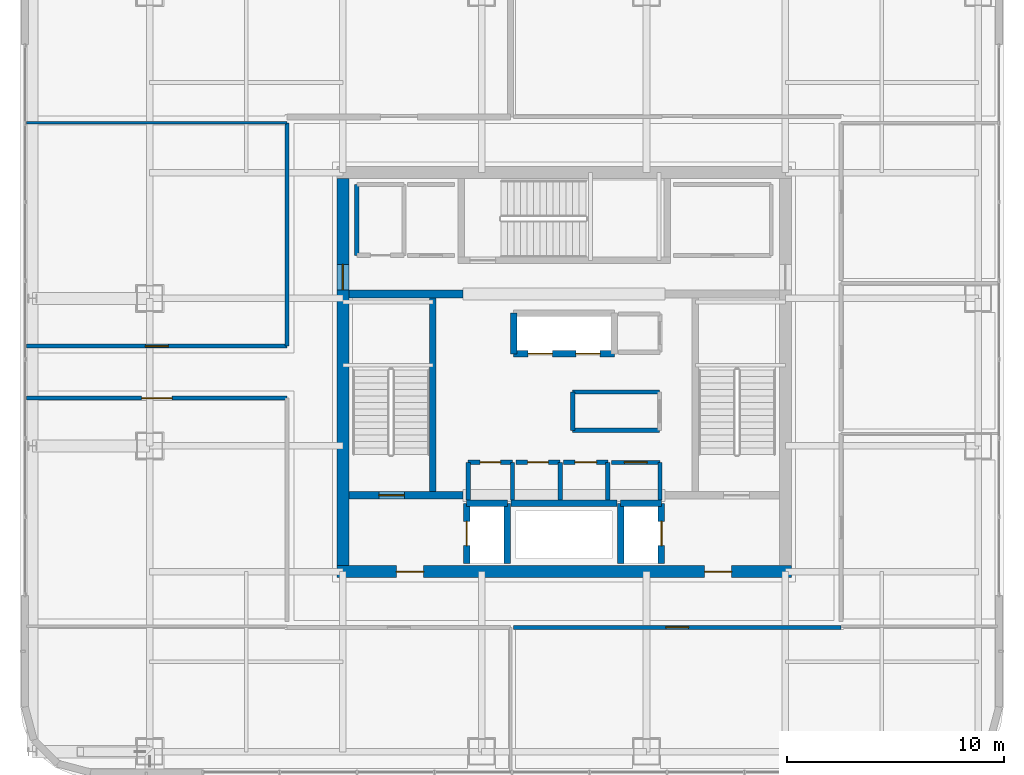
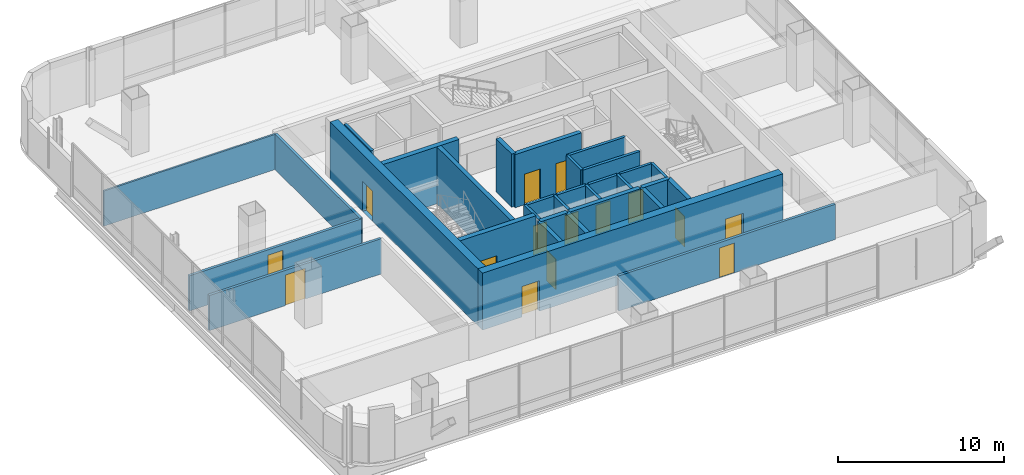
# One storey, part 34 of 51: 32 walls, 15 doors, 15 openings.
"""IFC4 building model written with IfcOpenShell, lengths in metres."""

from ifc_helpers import new_model, si_unit, direction, frame, frame_2d, origin, place, context, subcontext, project, spatial, rectangle, extrude, material, layer, layer_set, type_object, element, fill, save


model = new_model("IFC4")

# Units and contexts
model_context = context("Model", 3, precision=1e-05, world=origin(), true_north=direction((0.0, 1.0)))
body_context = subcontext(model_context, "Body", "Model", "MODEL_VIEW")
ifc_project = project(units=[si_unit("LENGTHUNIT", "METRE"), si_unit("AREAUNIT", "SQUARE_METRE"), si_unit("VOLUMEUNIT", "CUBIC_METRE"), si_unit("PLANEANGLEUNIT", "RADIAN"), si_unit("MASSUNIT", "GRAM", prefix="KILO")], contexts=[model_context])

# Site, building, storey
site_placement = place(None, origin())
site = spatial("IfcSite", under=ifc_project, at=site_placement, CompositionType="ELEMENT")
building_placement = place(site_placement, origin())
building = spatial("IfcBuilding", under=site, at=building_placement, Name="Punatoya Terracotta Tower", CompositionType="ELEMENT")
storey_placement = place(building_placement, frame((0.0, 0.0, 313.199951171875)))
storey = spatial("IfcBuildingStorey", under=building, at=storey_placement, Name="L74", CompositionType="ELEMENT", Elevation=313.199951171875)

# Wall, openings, doors
ifc_material_1 = material(Name="Concrete C50/60", Category="concrete")
ifc_layer_1 = layer(ifc_material_1, 0.550048828125)
ifc_layer_set_1 = layer_set([ifc_layer_1], Name="Concrete C50/60")
wall_type_1 = type_object("IfcWallType", Name="WL-COR-550", PredefinedType="SHEAR", material=ifc_layer_set_1)
wall_1_placement = place(storey_placement, frame((10.47509765625, -9.199951171875, 0.0), z_axis=(0.0, 0.0, 1.0), x_axis=(-1.0, 0.0, 0.0)))
wall_1 = element("IfcWall", 1, at=wall_1_placement, inside=storey, type_object=wall_type_1, Name="L74 Core Shear Wall S", PredefinedType="SHEAR", context=body_context, shape_type="SweptSolid", body=[
    extrude(rectangle(XDim=20.9501953125, YDim=0.550048828125, at=frame_2d((10.47509765625, 0.0))), origin(), (0.0, 0.0, 1.0), 4.199951171875),
])
opening_1_placement = place(wall_1_placement, frame((2.75, 0.0, 0.0)))
opening_1 = element("IfcOpeningElement", 2, at=opening_1_placement, cuts=wall_1, Name="Opening FD-L1", PredefinedType="OPENING", context=body_context, shape_type="SweptSolid", body=[
    extrude(rectangle(XDim=1.25, YDim=2.25, at=frame_2d((0.625, 1.125))), frame((0.0, 0.284912109375, 0.0), z_axis=(0.0, -1.0, 0.0), x_axis=(1.0, 0.0, 0.0)), (0.0, 0.0, 1.0), 0.570068359375),
])
opening_2_placement = place(wall_1_placement, frame((16.949951171875, 0.0, 0.0)))
opening_2 = element("IfcOpeningElement", 3, at=opening_2_placement, cuts=wall_1, Name="Opening FD-L1", PredefinedType="OPENING", context=body_context, shape_type="SweptSolid", body=[
    extrude(rectangle(XDim=1.25, YDim=2.25, at=frame_2d((0.625, 1.125))), frame((0.0, 0.284912109375, 0.0), z_axis=(0.0, -1.0, 0.0), x_axis=(1.0, 0.0, 0.0)), (0.0, 0.0, 1.0), 0.570068359375),
])
ifc_material_2 = material(Name="Galvanised Steel Smokeproof Fire Door", Category="steel")
door_type_1 = type_object("IfcDoorType", Name="DR-FFL-1250", OperationType="NOTDEFINED", PredefinedType="DOOR", material=ifc_material_2)
door_1_placement = place(opening_1_placement, origin())
door_1 = element("IfcDoor", 4, at=door_1_placement, inside=storey, type_object=door_type_1, Name="L74 East Firefighting Lobby Corridor Fire Door", OperationType="SINGLE_SWING_LEFT", OverallHeight=2.25, OverallWidth=1.25, PredefinedType="DOOR", context=body_context, shape_type="SweptSolid", body=[
    extrude(rectangle(XDim=1.25, YDim=2.25, at=frame_2d((0.625, 1.125))), frame((0.0, 0.02490234375, 0.0), z_axis=(0.0, -1.0, 0.0), x_axis=(1.0, 0.0, 0.0)), (0.0, 0.0, 1.0), 0.050048828125),
])
fill(opening_1, door_1)
door_2_placement = place(opening_2_placement, origin())
door_2 = element("IfcDoor", 5, at=door_2_placement, inside=storey, type_object=door_type_1, Name="L74 West Firefighting Lobby Corridor Fire Door", OperationType="SINGLE_SWING_RIGHT", OverallHeight=2.25, OverallWidth=1.25, PredefinedType="DOOR", context=body_context, shape_type="SweptSolid", body=[
    extrude(rectangle(XDim=1.25, YDim=2.25, at=frame_2d((0.625, 1.125))), frame((0.0, 0.02490234375, 0.0), z_axis=(0.0, -1.0, 0.0), x_axis=(1.0, 0.0, 0.0)), (0.0, 0.0, 1.0), 0.050048828125),
])
fill(opening_2, door_2)

# Wall, opening, door
wall_2_placement = place(storey_placement, frame((-10.199951171875, -8.925048828125, 0.0), z_axis=(0.0, 0.0, 1.0), x_axis=(0.0, 1.0, 0.0)))
wall_2 = element("IfcWall", 6, at=wall_2_placement, inside=storey, type_object=wall_type_1, Name="L74 Core Shear Wall W", PredefinedType="SHEAR", context=body_context, shape_type="SweptSolid", body=[
    extrude(rectangle(XDim=17.85009765625, YDim=0.550048828125, at=frame_2d((8.925048828125, 0.0))), origin(), (0.0, 0.0, 1.0), 4.199951171875),
])
opening_3_placement = place(wall_2_placement, frame((12.715087890625, 0.0, 0.0)))
opening_3 = element("IfcOpeningElement", 7, at=opening_3_placement, cuts=wall_2, Name="Opening SD-01", PredefinedType="OPENING", context=body_context, shape_type="SweptSolid", body=[
    extrude(rectangle(XDim=1.179931640625, YDim=2.199951171875, at=frame_2d((0.58984375, 1.10009765625))), frame((0.0, 0.284912109375, 0.0), z_axis=(0.0, -1.0, 0.0), x_axis=(1.0, 0.0, 0.0)), (0.0, 0.0, 1.0), 0.570068359375),
])
ifc_material_3 = material(Name="Galvanised Steel Pressurized Stair Fire Door", Category="steel")
door_type_2 = type_object("IfcDoorType", Name="DR-STR-1180", OperationType="NOTDEFINED", PredefinedType="DOOR", material=ifc_material_3)
door_3_placement = place(opening_3_placement, origin())
door_3 = element("IfcDoor", 8, at=door_3_placement, inside=storey, type_object=door_type_2, Name="L74 Central Lift Lobby West Fire Door", OperationType="SINGLE_SWING_LEFT", OverallHeight=2.199951171875, OverallWidth=1.179931640625, PredefinedType="DOOR", context=body_context, shape_type="SweptSolid", body=[
    extrude(rectangle(XDim=1.179931640625, YDim=2.199951171875, at=frame_2d((0.58984375, 1.10009765625))), frame((0.0, 0.02490234375, 0.0), z_axis=(0.0, -1.0, 0.0), x_axis=(1.0, 0.0, 0.0)), (0.0, 0.0, 1.0), 0.050048828125),
])
fill(opening_3, door_3)

# Wall
ifc_material_4 = material(Name="Gypsum Fireboard + Steel Stud", Category="steel")
ifc_layer_2 = layer(ifc_material_4, 0.179931640625)
ifc_layer_set_2 = layer_set([ifc_layer_2], Name="Gypsum Fireboard + Steel Stud")
wall_type_2 = type_object("IfcWallType", Name="WL-CORR-180", PredefinedType="PARTITIONING", material=ifc_layer_set_2)
wall_3_placement = place(storey_placement, frame((4.419921875, -5.89990234375, 0.0), z_axis=(0.0, 0.0, 1.0), x_axis=(0.0, 1.0, 0.0)))
element("IfcWall", 9, at=wall_3_placement, inside=storey, type_object=wall_type_2, Name="L74 Core Reprographics Studio Partition 08", PredefinedType="PARTITIONING", context=body_context, shape_type="SweptSolid", body=[
    extrude(rectangle(XDim=1.739990234375, YDim=0.179931640625, at=frame_2d((0.8701171875, 0.0))), origin(), (0.0, 0.0, 1.0), 3.920166015625),
])

# Wall, opening, door
wall_4_placement = place(storey_placement, frame((4.419921875, -4.159912109375, 0.0), z_axis=(0.0, 0.0, 1.0), x_axis=(-1.0, 0.0, 0.0)))
wall_4 = element("IfcWall", 10, at=wall_4_placement, inside=storey, type_object=wall_type_2, Name="L74 Core Reprographics Studio Partition 09", PredefinedType="PARTITIONING", context=body_context, shape_type="SweptSolid", body=[
    extrude(rectangle(XDim=2.239990234375, YDim=0.179931640625, at=frame_2d((1.1201171875, 0.0))), origin(), (0.0, 0.0, 1.0), 3.920166015625),
])
opening_4_placement = place(wall_4_placement, frame((0.594970703125, 0.0, 0.0)))
opening_4 = element("IfcOpeningElement", 11, at=opening_4_placement, cuts=wall_4, Name="Opening OD-01", PredefinedType="OPENING", context=body_context, shape_type="SweptSolid", body=[
    extrude(rectangle(XDim=1.050048828125, YDim=2.199951171875, at=frame_2d((0.52490234375, 1.10009765625))), frame((0.0, 0.099853515625, 0.0), z_axis=(0.0, -1.0, 0.0), x_axis=(1.0, 0.0, 0.0)), (0.0, 0.0, 1.0), 0.199951171875),
])
ifc_material_5 = material(Name="Bengal Teak Solid-Core Leaf")
door_type_3 = type_object("IfcDoorType", Name="DR-OFF-1050", OperationType="NOTDEFINED", PredefinedType="DOOR", material=ifc_material_5)
door_4_placement = place(opening_4_placement, origin())
door_4 = element("IfcDoor", 12, at=door_4_placement, inside=storey, type_object=door_type_3, Name="L74 Reprographics Studio Door", OperationType="SINGLE_SWING_LEFT", OverallHeight=2.199951171875, OverallWidth=1.050048828125, PredefinedType="DOOR", context=body_context, shape_type="SweptSolid", body=[
    extrude(rectangle(XDim=1.050048828125, YDim=2.199951171875, at=frame_2d((0.52490234375, 1.10009765625))), frame((0.0, 0.02490234375, 0.0), z_axis=(0.0, -1.0, 0.0), x_axis=(1.0, 0.0, 0.0)), (0.0, 0.0, 1.0), 0.050048828125),
])
fill(opening_4, door_4)

wall_5_placement = place(storey_placement, frame((-2.340087890625, -11.77001953125, 0.0), z_axis=(0.0, 0.0, 1.0), x_axis=(1.0, 0.0, 0.0)))
wall_5 = element("IfcWall", 13, at=wall_5_placement, inside=storey, type_object=wall_type_2, Name="L74 Open-Plan Occupational Rest Lounge Partition 30", PredefinedType="PARTITIONING", context=body_context, shape_type="SweptSolid", body=[
    extrude(rectangle(XDim=15.110107421875, YDim=0.179931640625, at=frame_2d((7.55517578125, 0.0))), origin(), (0.0, 0.0, 1.0), 2.593994140625),
])
opening_5_placement = place(wall_5_placement, frame((7.030029296875, 0.0, 0.0)))
opening_5 = element("IfcOpeningElement", 14, at=opening_5_placement, cuts=wall_5, Name="Opening OD-01", PredefinedType="OPENING", context=body_context, shape_type="SweptSolid", body=[
    extrude(rectangle(XDim=1.050048828125, YDim=2.199951171875, at=frame_2d((0.52490234375, 1.10009765625))), frame((0.0, 0.099853515625, 0.0), z_axis=(0.0, -1.0, 0.0), x_axis=(1.0, 0.0, 0.0)), (0.0, 0.0, 1.0), 0.199951171875),
])
door_5_placement = place(opening_5_placement, origin())
door_5 = element("IfcDoor", 15, at=door_5_placement, inside=storey, type_object=door_type_3, Name="L74 Open-Plan Occupational Rest Lounge Door", OperationType="SINGLE_SWING_RIGHT", OverallHeight=2.199951171875, OverallWidth=1.050048828125, PredefinedType="DOOR", context=body_context, shape_type="SweptSolid", body=[
    extrude(rectangle(XDim=1.050048828125, YDim=2.199951171875, at=frame_2d((0.52490234375, 1.10009765625))), frame((0.0, 0.02490234375, 0.0), z_axis=(0.0, -1.0, 0.0), x_axis=(1.0, 0.0, 0.0)), (0.0, 0.0, 1.0), 0.050048828125),
])
fill(opening_5, door_5)

wall_6_placement = place(storey_placement, frame((-24.77001953125, -1.199951171875, 0.0), z_axis=(0.0, 0.0, 1.0), x_axis=(1.0, 0.0, 0.0)))
wall_6 = element("IfcWall", 16, at=wall_6_placement, inside=storey, type_object=wall_type_2, Name="L74 Open-Plan Leadership Training Classroom Partition 33", PredefinedType="PARTITIONING", context=body_context, shape_type="SweptSolid", body=[
    extrude(rectangle(XDim=12.0, YDim=0.179931640625, at=frame_2d((6.0, 0.0))), origin(), (0.0, 0.0, 1.0), 2.593994140625),
])
opening_6_placement = place(wall_6_placement, frame((5.300048828125, 0.0, 0.0)))
opening_6 = element("IfcOpeningElement", 17, at=opening_6_placement, cuts=wall_6, Name="Opening BD-01", PredefinedType="OPENING", context=body_context, shape_type="SweptSolid", body=[
    extrude(rectangle(XDim=1.39990234375, YDim=2.25, at=frame_2d((0.699951171875, 1.125))), frame((0.0, 0.099853515625, 0.0), z_axis=(0.0, -1.0, 0.0), x_axis=(1.0, 0.0, 0.0)), (0.0, 0.0, 1.0), 0.199951171875),
])
ifc_material_6 = material(Name="Bengal Teak Acoustic Leaf")
door_type_4 = type_object("IfcDoorType", Name="DR-BRD-1400", OperationType="NOTDEFINED", PredefinedType="DOOR", material=ifc_material_6)
door_6_placement = place(opening_6_placement, origin())
door_6 = element("IfcDoor", 18, at=door_6_placement, inside=storey, type_object=door_type_4, Name="L74 Open-Plan Leadership Training Classroom Door", OperationType="SINGLE_SWING_RIGHT", OverallHeight=2.25, OverallWidth=1.39990234375, PredefinedType="DOOR", context=body_context, shape_type="SweptSolid", body=[
    extrude(rectangle(XDim=1.39990234375, YDim=2.25, at=frame_2d((0.699951171875, 1.125))), frame((0.0, 0.02490234375, 0.0), z_axis=(0.0, -1.0, 0.0), x_axis=(1.0, 0.0, 0.0)), (0.0, 0.0, 1.0), 0.050048828125),
])
fill(opening_6, door_6)

wall_7_placement = place(storey_placement, frame((-12.77001953125, 1.199951171875, 0.0), z_axis=(0.0, 0.0, 1.0), x_axis=(-1.0, 0.0, 0.0)))
wall_7 = element("IfcWall", 19, at=wall_7_placement, inside=storey, type_object=wall_type_2, Name="L74 Open-Plan Mindfulness Wellness Room Partition 37", PredefinedType="PARTITIONING", context=body_context, shape_type="SweptSolid", body=[
    extrude(rectangle(XDim=12.0, YDim=0.179931640625, at=frame_2d((6.0, 0.0))), origin(), (0.0, 0.0, 1.0), 2.593994140625),
])
opening_7_placement = place(wall_7_placement, frame((5.47509765625, 0.0, 0.0)))
opening_7 = element("IfcOpeningElement", 20, at=opening_7_placement, cuts=wall_7, Name="Opening OD-01", PredefinedType="OPENING", context=body_context, shape_type="SweptSolid", body=[
    extrude(rectangle(XDim=1.050048828125, YDim=2.199951171875, at=frame_2d((0.52490234375, 1.10009765625))), frame((0.0, 0.099853515625, 0.0), z_axis=(0.0, -1.0, 0.0), x_axis=(1.0, 0.0, 0.0)), (0.0, 0.0, 1.0), 0.199951171875),
])
door_7_placement = place(opening_7_placement, origin())
door_7 = element("IfcDoor", 21, at=door_7_placement, inside=storey, type_object=door_type_3, Name="L74 Open-Plan Mindfulness Wellness Room Door", OperationType="SINGLE_SWING_RIGHT", OverallHeight=2.199951171875, OverallWidth=1.050048828125, PredefinedType="DOOR", context=body_context, shape_type="SweptSolid", body=[
    extrude(rectangle(XDim=1.050048828125, YDim=2.199951171875, at=frame_2d((0.52490234375, 1.10009765625))), frame((0.0, 0.02490234375, 0.0), z_axis=(0.0, -1.0, 0.0), x_axis=(1.0, 0.0, 0.0)), (0.0, 0.0, 1.0), 0.050048828125),
])
fill(opening_7, door_7)

# Walls
wall_8_placement = place(storey_placement, frame((-12.77001953125, 11.489990234375, 0.0), z_axis=(0.0, 0.0, 1.0), x_axis=(0.0, -1.0, 0.0)))
element("IfcWall", 22, at=wall_8_placement, inside=storey, type_object=wall_type_2, Name="L74 Open-Plan Mindfulness Wellness Room Partition 39", PredefinedType="PARTITIONING", context=body_context, shape_type="SweptSolid", body=[
    extrude(rectangle(XDim=10.2900390625, YDim=0.179931640625, at=frame_2d((5.14501953125, 0.0))), origin(), (0.0, 0.0, 1.0), 2.593994140625),
])
ifc_material_7 = material(Name="Concrete C40/50", Category="concrete")
ifc_layer_3 = layer(ifc_material_7, 0.199951171875)
ifc_layer_set_3 = layer_set([ifc_layer_3], Name="Concrete C40/50")
wall_type_3 = type_object("IfcWallType", Name="WL-INT-200", PredefinedType="SOLIDWALL", material=ifc_layer_set_3)
wall_9_placement = place(storey_placement, frame((-2.3798828125, -5.89990234375, 0.0), z_axis=(0.0, 0.0, 1.0), x_axis=(0.0, 1.0, 0.0)))
element("IfcWall", 23, at=wall_9_placement, inside=storey, type_object=wall_type_3, Name="L74 Male Washroom Partition 01", PredefinedType="SOLIDWALL", context=body_context, shape_type="SweptSolid", body=[
    extrude(rectangle(XDim=1.739990234375, YDim=0.199951171875, at=frame_2d((0.8701171875, 0.0))), origin(), (0.0, 0.0, 1.0), 3.920166015625),
])

# Wall, opening, door
wall_10_placement = place(storey_placement, frame((-2.3798828125, -4.159912109375, 0.0), z_axis=(0.0, 0.0, 1.0), x_axis=(-1.0, 0.0, 0.0)))
wall_10 = element("IfcWall", 24, at=wall_10_placement, inside=storey, type_object=wall_type_3, Name="L74 Male Washroom Partition 02", PredefinedType="SOLIDWALL", context=body_context, shape_type="SweptSolid", body=[
    extrude(rectangle(XDim=2.0400390625, YDim=0.199951171875, at=frame_2d((1.02001953125, 0.0))), origin(), (0.0, 0.0, 1.0), 3.920166015625),
])
opening_8_placement = place(wall_10_placement, frame((0.544921875, 0.0, 0.0)))
opening_8 = element("IfcOpeningElement", 25, at=opening_8_placement, cuts=wall_10, Name="Opening WD-01", PredefinedType="OPENING", context=body_context, shape_type="SweptSolid", body=[
    extrude(rectangle(XDim=0.949951171875, YDim=2.14990234375, at=frame_2d((0.47509765625, 1.074951171875))), frame((0.0, 0.10986328125, 0.0), z_axis=(0.0, -1.0, 0.0), x_axis=(1.0, 0.0, 0.0)), (0.0, 0.0, 1.0), 0.219970703125),
])
ifc_material_8 = material(Name="Moisture-Resistant Laminate Timber Leaf", Category="wood")
door_type_5 = type_object("IfcDoorType", Name="DR-WC-950", OperationType="NOTDEFINED", PredefinedType="DOOR", material=ifc_material_8)
door_8_placement = place(opening_8_placement, origin())
door_8 = element("IfcDoor", 26, at=door_8_placement, inside=storey, type_object=door_type_5, Name="L74 Male Washroom Door", OperationType="SINGLE_SWING_RIGHT", OverallHeight=2.14990234375, OverallWidth=0.949951171875, PredefinedType="DOOR", context=body_context, shape_type="SweptSolid", body=[
    extrude(rectangle(XDim=0.949951171875, YDim=2.14990234375, at=frame_2d((0.47509765625, 1.074951171875))), frame((0.0, 0.02490234375, 0.0), z_axis=(0.0, -1.0, 0.0), x_axis=(1.0, 0.0, 0.0)), (0.0, 0.0, 1.0), 0.050048828125),
])
fill(opening_8, door_8)

# Walls
for number, where, z_axis, x_axis, name in (
    (27, (-4.419921875, -4.159912109375, 0.0), (0.0, 0.0, 1.0), (0.0, -1.0, 0.0), "L74 Male Washroom Partition 03"),
    (28, (-0.179931640625, -5.89990234375, 0.0), (0.0, 0.0, 1.0), (0.0, 1.0, 0.0), "L74 Female Washroom Partition 04"),
):
    element("IfcWall", number, at=place(storey_placement, frame(where, z_axis=z_axis, x_axis=x_axis)), inside=storey, type_object=wall_type_3, Name=name, PredefinedType="SOLIDWALL", context=body_context, shape_type="SweptSolid", body=[
        extrude(rectangle(XDim=1.739990234375, YDim=0.199951171875, at=frame_2d((0.8701171875, 0.0))), origin(), (0.0, 0.0, 1.0), 3.920166015625),
    ])

# Wall, opening, door
wall_11_placement = place(storey_placement, frame((-0.179931640625, -4.159912109375, 0.0), z_axis=(0.0, 0.0, 1.0), x_axis=(-1.0, 0.0, 0.0)))
wall_11 = element("IfcWall", 29, at=wall_11_placement, inside=storey, type_object=wall_type_3, Name="L74 Female Washroom Partition 05", PredefinedType="SOLIDWALL", context=body_context, shape_type="SweptSolid", body=[
    extrude(rectangle(XDim=2.0400390625, YDim=0.199951171875, at=frame_2d((1.02001953125, 0.0))), origin(), (0.0, 0.0, 1.0), 3.920166015625),
])
opening_9_placement = place(wall_11_placement, frame((0.544921875, 0.0, 0.0)))
opening_9 = element("IfcOpeningElement", 30, at=opening_9_placement, cuts=wall_11, Name="Opening WD-01", PredefinedType="OPENING", context=body_context, shape_type="SweptSolid", body=[
    extrude(rectangle(XDim=0.949951171875, YDim=2.14990234375, at=frame_2d((0.47509765625, 1.074951171875))), frame((0.0, 0.10986328125, 0.0), z_axis=(0.0, -1.0, 0.0), x_axis=(1.0, 0.0, 0.0)), (0.0, 0.0, 1.0), 0.219970703125),
])
door_9_placement = place(opening_9_placement, origin())
door_9 = element("IfcDoor", 31, at=door_9_placement, inside=storey, type_object=door_type_5, Name="L74 Female Washroom Door", OperationType="SINGLE_SWING_LEFT", OverallHeight=2.14990234375, OverallWidth=0.949951171875, PredefinedType="DOOR", context=body_context, shape_type="SweptSolid", body=[
    extrude(rectangle(XDim=0.949951171875, YDim=2.14990234375, at=frame_2d((0.47509765625, 1.074951171875))), frame((0.0, 0.02490234375, 0.0), z_axis=(0.0, -1.0, 0.0), x_axis=(1.0, 0.0, 0.0)), (0.0, 0.0, 1.0), 0.050048828125),
])
fill(opening_9, door_9)

# Wall
wall_12_placement = place(storey_placement, frame((2.02001953125, -5.89990234375, 0.0), z_axis=(0.0, 0.0, 1.0), x_axis=(0.0, 1.0, 0.0)))
element("IfcWall", 32, at=wall_12_placement, inside=storey, type_object=wall_type_3, Name="L74 Accessible Universal Washroom Partition 06", PredefinedType="SOLIDWALL", context=body_context, shape_type="SweptSolid", body=[
    extrude(rectangle(XDim=1.739990234375, YDim=0.199951171875, at=frame_2d((0.8701171875, 0.0))), origin(), (0.0, 0.0, 1.0), 3.920166015625),
])

# Wall, opening, door
wall_13_placement = place(storey_placement, frame((2.02001953125, -4.159912109375, 0.0), z_axis=(0.0, 0.0, 1.0), x_axis=(-1.0, 0.0, 0.0)))
wall_13 = element("IfcWall", 33, at=wall_13_placement, inside=storey, type_object=wall_type_3, Name="L74 Accessible Universal Washroom Partition 07", PredefinedType="SOLIDWALL", context=body_context, shape_type="SweptSolid", body=[
    extrude(rectangle(XDim=2.0400390625, YDim=0.199951171875, at=frame_2d((1.02001953125, 0.0))), origin(), (0.0, 0.0, 1.0), 3.920166015625),
])
opening_10_placement = place(wall_13_placement, frame((0.52001953125, 0.0, 0.0)))
opening_10 = element("IfcOpeningElement", 34, at=opening_10_placement, cuts=wall_13, Name="Opening AWD-1", PredefinedType="OPENING", context=body_context, shape_type="SweptSolid", body=[
    extrude(rectangle(XDim=1.0, YDim=2.14990234375, at=frame_2d((0.5, 1.074951171875))), frame((0.0, 0.10986328125, 0.0), z_axis=(0.0, -1.0, 0.0), x_axis=(1.0, 0.0, 0.0)), (0.0, 0.0, 1.0), 0.219970703125),
])
ifc_material_9 = material(Name="Bengal Teak Accessible WC Leaf")
door_type_6 = type_object("IfcDoorType", Name="DR-ACC-1000", OperationType="NOTDEFINED", PredefinedType="DOOR", material=ifc_material_9)
door_10_placement = place(opening_10_placement, origin())
door_10 = element("IfcDoor", 35, at=door_10_placement, inside=storey, type_object=door_type_6, Name="L74 Accessible Universal Washroom Door", OperationType="SINGLE_SWING_RIGHT", OverallHeight=2.14990234375, OverallWidth=1.0, PredefinedType="DOOR", context=body_context, shape_type="SweptSolid", body=[
    extrude(rectangle(XDim=1.0, YDim=2.14990234375, at=frame_2d((0.5, 1.074951171875))), frame((0.0, 0.02490234375, 0.0), z_axis=(0.0, -1.0, 0.0), x_axis=(1.0, 0.0, 0.0)), (0.0, 0.0, 1.0), 0.050048828125),
])
fill(opening_10, door_10)

# Walls
wall_14_placement = place(storey_placement, frame((4.39990234375, -0.919921875, 0.0), z_axis=(0.0, 0.0, 1.0), x_axis=(-1.0, 0.0, 0.0)))
element("IfcWall", 36, at=wall_14_placement, inside=storey, type_object=wall_type_3, Name="L74 East Core Tea Pantry Partition 11", PredefinedType="SOLIDWALL", context=body_context, shape_type="SweptSolid", body=[
    extrude(rectangle(XDim=4.0, YDim=0.199951171875, at=frame_2d((2.0, 0.0))), origin(), (0.0, 0.0, 1.0), 3.920166015625),
])
wall_15_placement = place(storey_placement, frame((0.39990234375, -0.919921875, 0.0), z_axis=(0.0, 0.0, 1.0), x_axis=(0.0, -1.0, 0.0)))
element("IfcWall", 37, at=wall_15_placement, inside=storey, type_object=wall_type_3, Name="L74 East Core Tea Pantry Partition 12", PredefinedType="SOLIDWALL", context=body_context, shape_type="SweptSolid", body=[
    extrude(rectangle(XDim=1.760009765625, YDim=0.199951171875, at=frame_2d((0.8798828125, 0.0))), origin(), (0.0, 0.0, 1.0), 3.920166015625),
])
wall_16_placement = place(storey_placement, frame((0.39990234375, -2.679931640625, 0.0), z_axis=(0.0, 0.0, 1.0), x_axis=(1.0, 0.0, 0.0)))
element("IfcWall", 38, at=wall_16_placement, inside=storey, type_object=wall_type_3, Name="L74 East Core Tea Pantry Partition 13", PredefinedType="SOLIDWALL", context=body_context, shape_type="SweptSolid", body=[
    extrude(rectangle(XDim=4.0, YDim=0.199951171875, at=frame_2d((2.0, 0.0))), origin(), (0.0, 0.0, 1.0), 3.920166015625),
])
wall_17_placement = place(storey_placement, frame((-9.550048828125, 8.64990234375, 0.0), z_axis=(0.0, 0.0, 1.0), x_axis=(0.0, -1.0, 0.0)))
element("IfcWall", 39, at=wall_17_placement, inside=storey, type_object=wall_type_3, Name="L74 West Core Archive Vault Partition 19", PredefinedType="SOLIDWALL", context=body_context, shape_type="SweptSolid", body=[
    extrude(rectangle(XDim=3.27001953125, YDim=0.199951171875, at=frame_2d((1.635009765625, 0.0))), origin(), (0.0, 0.0, 1.0), 3.920166015625),
])
ifc_material_10 = material(Name="Gypsum Partition + Steel Stud", Category="steel")
ifc_layer_4 = layer(ifc_material_10, 0.1201171875)
ifc_layer_set_4 = layer_set([ifc_layer_4], Name="Gypsum Partition + Steel Stud")
wall_type_4 = type_object("IfcWallType", Name="WL-OFF-120", PredefinedType="PARTITIONING", material=ifc_layer_set_4)
wall_18_placement = place(storey_placement, frame((-24.77001953125, 11.489990234375, 0.0), z_axis=(0.0, 0.0, 1.0), x_axis=(1.0, 0.0, 0.0)))
element("IfcWall", 40, at=wall_18_placement, inside=storey, type_object=wall_type_4, Name="L74 Open-Plan Mindfulness Wellness Room Partition 38", PredefinedType="PARTITIONING", context=body_context, shape_type="SweptSolid", body=[
    extrude(rectangle(XDim=12.0, YDim=0.1201171875, at=frame_2d((6.0, 0.0))), origin(), (0.0, 0.0, 1.0), 2.593994140625),
])
ifc_layer_5 = layer(ifc_material_7, 0.300048828125)
ifc_layer_set_5 = layer_set([ifc_layer_5], Name="Concrete C40/50")
wall_type_5 = type_object("IfcWallType", Name="WL-SHF-300", PredefinedType="SOLIDWALL", material=ifc_layer_set_5)
wall_19_placement = place(storey_placement, frame((-6.050048828125, -5.5, 0.0), z_axis=(0.0, 0.0, 1.0), x_axis=(0.0, 1.0, 0.0)))
element("IfcWall", 41, at=wall_19_placement, inside=storey, type_object=wall_type_5, Name="L74 Structural Stair Shaft Wall SW-ST1-E", PredefinedType="SOLIDWALL", context=body_context, shape_type="SweptSolid", body=[
    extrude(rectangle(XDim=8.949951171875, YDim=0.300048828125, at=frame_2d((4.47509765625, 0.0))), origin(), (0.0, 0.0, 1.0), 4.199951171875),
])

# Wall, opening, door
wall_20_placement = place(storey_placement, frame((-4.489990234375, -8.820068359375, 0.0), z_axis=(0.0, 0.0, 1.0), x_axis=(0.0, 1.0, 0.0)))
wall_20 = element("IfcWall", 42, at=wall_20_placement, inside=storey, type_object=wall_type_5, Name="L74 FFL-1 Front Hoistway Wall", PredefinedType="SOLIDWALL", context=body_context, shape_type="SweptSolid", body=[
    extrude(rectangle(XDim=2.77001953125, YDim=0.300048828125, at=frame_2d((1.385009765625, 0.0))), origin(), (0.0, 0.0, 1.0), 3.920166015625),
])
opening_11_placement = place(wall_20_placement, frame((0.824951171875, 0.0, 0.0)))
opening_11 = element("IfcOpeningElement", 43, at=opening_11_placement, cuts=wall_20, Name="Opening LD-02", PredefinedType="OPENING", context=body_context, shape_type="SweptSolid", body=[
    extrude(rectangle(XDim=1.1201171875, YDim=2.25, at=frame_2d((0.56005859375, 1.125))), frame((0.0, 0.159912109375, 0.0), z_axis=(0.0, -1.0, 0.0), x_axis=(1.0, 0.0, 0.0)), (0.0, 0.0, 1.0), 0.320068359375),
])
ifc_material_11 = material(Name="Stainless Steel Lift Landing Door", Category="steel")
door_type_7 = type_object("IfcDoorType", Name="DR-LND-1120", OperationType="NOTDEFINED", PredefinedType="DOOR", material=ifc_material_11)
door_11_placement = place(opening_11_placement, origin())
door_11 = element("IfcDoor", 44, at=door_11_placement, inside=storey, type_object=door_type_7, Name="L74 Firefighting Lift FFL-1 Sliding Landing Door", OperationType="SLIDING_TO_LEFT", OverallHeight=2.25, OverallWidth=1.1201171875, PredefinedType="DOOR", context=body_context, shape_type="SweptSolid", body=[
    extrude(rectangle(XDim=1.1201171875, YDim=2.25, at=frame_2d((0.56005859375, 1.125))), frame((0.0, 0.02490234375, 0.0), z_axis=(0.0, -1.0, 0.0), x_axis=(1.0, 0.0, 0.0)), (0.0, 0.0, 1.0), 0.050048828125),
])
fill(opening_11, door_11)

# Walls
wall_21_placement = place(storey_placement, frame((-2.610107421875, -8.820068359375, 0.0), z_axis=(0.0, 0.0, 1.0), x_axis=(0.0, 1.0, 0.0)))
element("IfcWall", 45, at=wall_21_placement, inside=storey, type_object=wall_type_5, Name="L74 FFL-1 Rear Hoistway Wall", PredefinedType="SOLIDWALL", context=body_context, shape_type="SweptSolid", body=[
    extrude(rectangle(XDim=2.77001953125, YDim=0.300048828125, at=frame_2d((1.385009765625, 0.0))), origin(), (0.0, 0.0, 1.0), 3.920166015625),
])
wall_22_placement = place(storey_placement, frame((-4.489990234375, -6.050048828125, 0.0), z_axis=(0.0, 0.0, 1.0), x_axis=(1.0, 0.0, 0.0)))
element("IfcWall", 46, at=wall_22_placement, inside=storey, type_object=wall_type_5, Name="L74 FFL-1 North Hoistway Wall", PredefinedType="SOLIDWALL", context=body_context, shape_type="SweptSolid", body=[
    extrude(rectangle(XDim=1.8798828125, YDim=0.300048828125, at=frame_2d((0.93994140625, 0.0))), origin(), (0.0, 0.0, 1.0), 3.920166015625),
])

# Wall, opening, door
wall_23_placement = place(storey_placement, frame((4.489990234375, -8.820068359375, 0.0), z_axis=(0.0, 0.0, 1.0), x_axis=(0.0, 1.0, 0.0)))
wall_23 = element("IfcWall", 47, at=wall_23_placement, inside=storey, type_object=wall_type_5, Name="L74 FFL-2 Front Hoistway Wall", PredefinedType="SOLIDWALL", context=body_context, shape_type="SweptSolid", body=[
    extrude(rectangle(XDim=2.77001953125, YDim=0.300048828125, at=frame_2d((1.385009765625, 0.0))), origin(), (0.0, 0.0, 1.0), 3.920166015625),
])
opening_12_placement = place(wall_23_placement, frame((0.824951171875, 0.0, 0.0)))
opening_12 = element("IfcOpeningElement", 48, at=opening_12_placement, cuts=wall_23, Name="Opening LD-02", PredefinedType="OPENING", context=body_context, shape_type="SweptSolid", body=[
    extrude(rectangle(XDim=1.1201171875, YDim=2.25, at=frame_2d((0.56005859375, 1.125))), frame((0.0, 0.159912109375, 0.0), z_axis=(0.0, -1.0, 0.0), x_axis=(1.0, 0.0, 0.0)), (0.0, 0.0, 1.0), 0.320068359375),
])
door_12_placement = place(opening_12_placement, origin())
door_12 = element("IfcDoor", 49, at=door_12_placement, inside=storey, type_object=door_type_7, Name="L74 Firefighting Lift FFL-2 Sliding Landing Door", OperationType="SLIDING_TO_RIGHT", OverallHeight=2.25, OverallWidth=1.1201171875, PredefinedType="DOOR", context=body_context, shape_type="SweptSolid", body=[
    extrude(rectangle(XDim=1.1201171875, YDim=2.25, at=frame_2d((0.56005859375, 1.125))), frame((0.0, 0.02490234375, 0.0), z_axis=(0.0, -1.0, 0.0), x_axis=(1.0, 0.0, 0.0)), (0.0, 0.0, 1.0), 0.050048828125),
])
fill(opening_12, door_12)

# Walls
wall_24_placement = place(storey_placement, frame((2.610107421875, -8.820068359375, 0.0), z_axis=(0.0, 0.0, 1.0), x_axis=(0.0, 1.0, 0.0)))
element("IfcWall", 50, at=wall_24_placement, inside=storey, type_object=wall_type_5, Name="L74 FFL-2 Rear Hoistway Wall", PredefinedType="SOLIDWALL", context=body_context, shape_type="SweptSolid", body=[
    extrude(rectangle(XDim=2.77001953125, YDim=0.300048828125, at=frame_2d((1.385009765625, 0.0))), origin(), (0.0, 0.0, 1.0), 3.920166015625),
])
wall_25_placement = place(storey_placement, frame((2.610107421875, -6.050048828125, 0.0), z_axis=(0.0, 0.0, 1.0), x_axis=(1.0, 0.0, 0.0)))
element("IfcWall", 51, at=wall_25_placement, inside=storey, type_object=wall_type_5, Name="L74 FFL-2 North Hoistway Wall", PredefinedType="SOLIDWALL", context=body_context, shape_type="SweptSolid", body=[
    extrude(rectangle(XDim=1.8798828125, YDim=0.300048828125, at=frame_2d((0.93994140625, 0.0))), origin(), (0.0, 0.0, 1.0), 3.920166015625),
])

# Wall, openings, doors
wall_26_placement = place(storey_placement, frame((-2.320068359375, 0.840087890625, 0.0), z_axis=(0.0, 0.0, 1.0), x_axis=(1.0, 0.0, 0.0)))
wall_26 = element("IfcWall", 52, at=wall_26_placement, inside=storey, type_object=wall_type_5, Name="L74 North Lift Bank Front Shaft Wall", PredefinedType="SOLIDWALL", context=body_context, shape_type="SweptSolid", body=[
    extrude(rectangle(XDim=4.64013671875, YDim=0.300048828125, at=frame_2d((2.320068359375, 0.0))), origin(), (0.0, 0.0, 1.0), 3.920166015625),
])
opening_13_placement = place(wall_26_placement, frame((0.659912109375, 0.0, 0.0)))
opening_13 = element("IfcOpeningElement", 53, at=opening_13_placement, cuts=wall_26, Name="Opening LD-02", PredefinedType="OPENING", context=body_context, shape_type="SweptSolid", body=[
    extrude(rectangle(XDim=1.1201171875, YDim=2.25, at=frame_2d((0.56005859375, 1.125))), frame((0.0, 0.159912109375, 0.0), z_axis=(0.0, -1.0, 0.0), x_axis=(1.0, 0.0, 0.0)), (0.0, 0.0, 1.0), 0.320068359375),
])
opening_14_placement = place(wall_26_placement, frame((2.860107421875, 0.0, 0.0)))
opening_14 = element("IfcOpeningElement", 54, at=opening_14_placement, cuts=wall_26, Name="Opening LD-02", PredefinedType="OPENING", context=body_context, shape_type="SweptSolid", body=[
    extrude(rectangle(XDim=1.1201171875, YDim=2.25, at=frame_2d((0.56005859375, 1.125))), frame((0.0, 0.159912109375, 0.0), z_axis=(0.0, -1.0, 0.0), x_axis=(1.0, 0.0, 0.0)), (0.0, 0.0, 1.0), 0.320068359375),
])
door_13_placement = place(opening_13_placement, origin())
door_13 = element("IfcDoor", 55, at=door_13_placement, inside=storey, type_object=door_type_7, Name="L74 Lift PL-E1 Sliding Landing Door", OperationType="DOUBLE_DOOR_SLIDING", OverallHeight=2.25, OverallWidth=1.1201171875, PredefinedType="DOOR", context=body_context, shape_type="SweptSolid", body=[
    extrude(rectangle(XDim=1.1201171875, YDim=2.25, at=frame_2d((0.56005859375, 1.125))), frame((0.0, 0.02490234375, 0.0), z_axis=(0.0, -1.0, 0.0), x_axis=(1.0, 0.0, 0.0)), (0.0, 0.0, 1.0), 0.050048828125),
])
fill(opening_13, door_13)
door_14_placement = place(opening_14_placement, origin())
door_14 = element("IfcDoor", 56, at=door_14_placement, inside=storey, type_object=door_type_7, Name="L74 Lift PL-E2 Sliding Landing Door", OperationType="DOUBLE_DOOR_SLIDING", OverallHeight=2.25, OverallWidth=1.1201171875, PredefinedType="DOOR", context=body_context, shape_type="SweptSolid", body=[
    extrude(rectangle(XDim=1.1201171875, YDim=2.25, at=frame_2d((0.56005859375, 1.125))), frame((0.0, 0.02490234375, 0.0), z_axis=(0.0, -1.0, 0.0), x_axis=(1.0, 0.0, 0.0)), (0.0, 0.0, 1.0), 0.050048828125),
])
fill(opening_14, door_14)

# Walls
wall_27_placement = place(storey_placement, frame((-2.320068359375, 0.840087890625, 0.0), z_axis=(0.0, 0.0, 1.0), x_axis=(0.0, 1.0, 0.0)))
element("IfcWall", 57, at=wall_27_placement, inside=storey, type_object=wall_type_5, Name="L74 North Lift Bank West End Wall", PredefinedType="SOLIDWALL", context=body_context, shape_type="SweptSolid", body=[
    extrude(rectangle(XDim=1.8798828125, YDim=0.300048828125, at=frame_2d((0.93994140625, 0.0))), origin(), (0.0, 0.0, 1.0), 3.920166015625),
])
wall_28_placement = place(storey_placement, frame((-2.449951171875, -6.050048828125, 0.0), z_axis=(0.0, 0.0, 1.0), x_axis=(1.0, 0.0, 0.0)))
element("IfcWall", 58, at=wall_28_placement, inside=storey, type_object=wall_type_5, Name="L74 Observation Shuttle Rear Hoistway Wall", PredefinedType="SOLIDWALL", context=body_context, shape_type="SweptSolid", body=[
    extrude(rectangle(XDim=4.89990234375, YDim=0.300048828125, at=frame_2d((2.449951171875, 0.0))), origin(), (0.0, 0.0, 1.0), 3.920166015625),
])

# Wall, opening, door
ifc_layer_6 = layer(ifc_material_1, 0.35009765625)
ifc_layer_set_6 = layer_set([ifc_layer_6], Name="Concrete C50/60")
wall_type_6 = type_object("IfcWallType", Name="WL-SHF-350", PredefinedType="SOLIDWALL", material=ifc_layer_set_6)
wall_29_placement = place(storey_placement, frame((-9.925048828125, -5.679931640625, 0.0), z_axis=(0.0, 0.0, 1.0), x_axis=(1.0, 0.0, 0.0)))
wall_29 = element("IfcWall", 59, at=wall_29_placement, inside=storey, type_object=wall_type_6, Name="L74 Core Web Wall CSW-L", PredefinedType="SOLIDWALL", context=body_context, shape_type="SweptSolid", body=[
    extrude(rectangle(XDim=5.275146484375, YDim=0.35009765625, at=frame_2d((2.6376953125, 0.0))), origin(), (0.0, 0.0, 1.0), 4.199951171875),
])
opening_15_placement = place(wall_29_placement, frame((1.385009765625, 0.0, 0.0)))
opening_15 = element("IfcOpeningElement", 60, at=opening_15_placement, cuts=wall_29, Name="Opening SD-01", PredefinedType="OPENING", context=body_context, shape_type="SweptSolid", body=[
    extrude(rectangle(XDim=1.179931640625, YDim=2.199951171875, at=frame_2d((0.58984375, 1.10009765625))), frame((0.0, 0.18505859375, 0.0), z_axis=(0.0, -1.0, 0.0), x_axis=(1.0, 0.0, 0.0)), (0.0, 0.0, 1.0), 0.3701171875),
])
door_15_placement = place(opening_15_placement, origin())
door_15 = element("IfcDoor", 61, at=door_15_placement, inside=storey, type_object=door_type_2, Name="L74 Stair ST-1 Smokeproof Lobby Fire Door", OperationType="SINGLE_SWING_LEFT", OverallHeight=2.199951171875, OverallWidth=1.179931640625, PredefinedType="DOOR", context=body_context, shape_type="SweptSolid", body=[
    extrude(rectangle(XDim=1.179931640625, YDim=2.199951171875, at=frame_2d((0.58984375, 1.10009765625))), frame((0.0, 0.02490234375, 0.0), z_axis=(0.0, -1.0, 0.0), x_axis=(1.0, 0.0, 0.0)), (0.0, 0.0, 1.0), 0.050048828125),
])
fill(opening_15, door_15)

# Wall
wall_30_placement = place(storey_placement, frame((-9.925048828125, 3.60009765625, 0.0), z_axis=(0.0, 0.0, 1.0), x_axis=(1.0, 0.0, 0.0)))
element("IfcWall", 62, at=wall_30_placement, inside=storey, type_object=wall_type_6, Name="L74 Core Web Wall CNW-L", PredefinedType="SOLIDWALL", context=body_context, shape_type="SweptSolid", body=[
    extrude(rectangle(XDim=5.275146484375, YDim=0.35009765625, at=frame_2d((2.6376953125, 0.0))), origin(), (0.0, 0.0, 1.0), 4.199951171875),
])

save(model, "model.ifc")
